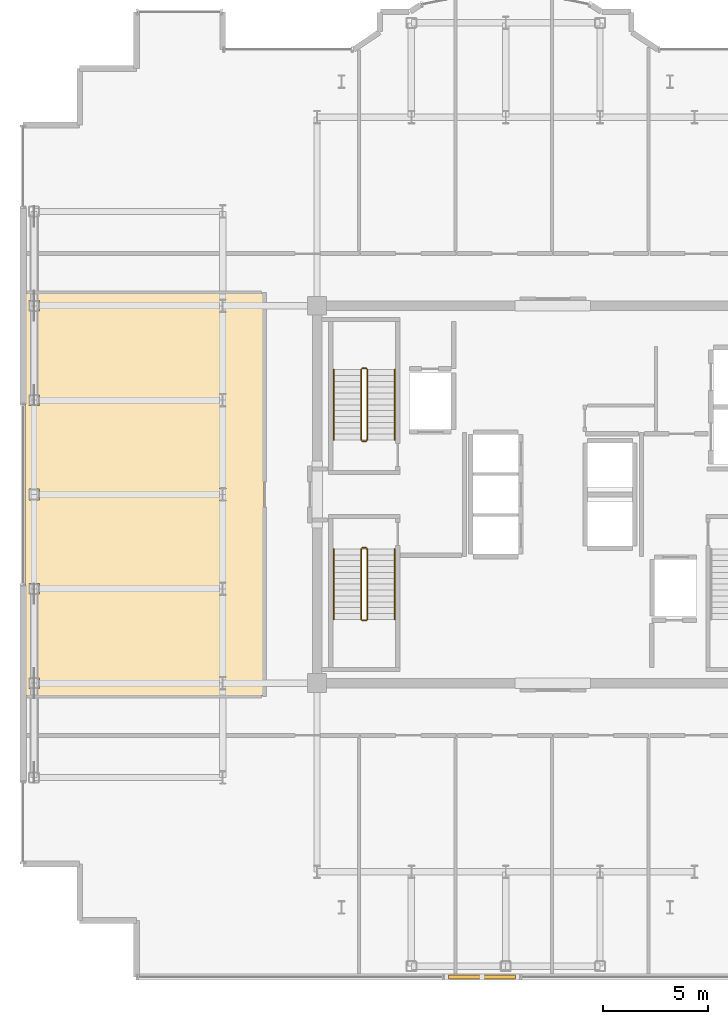
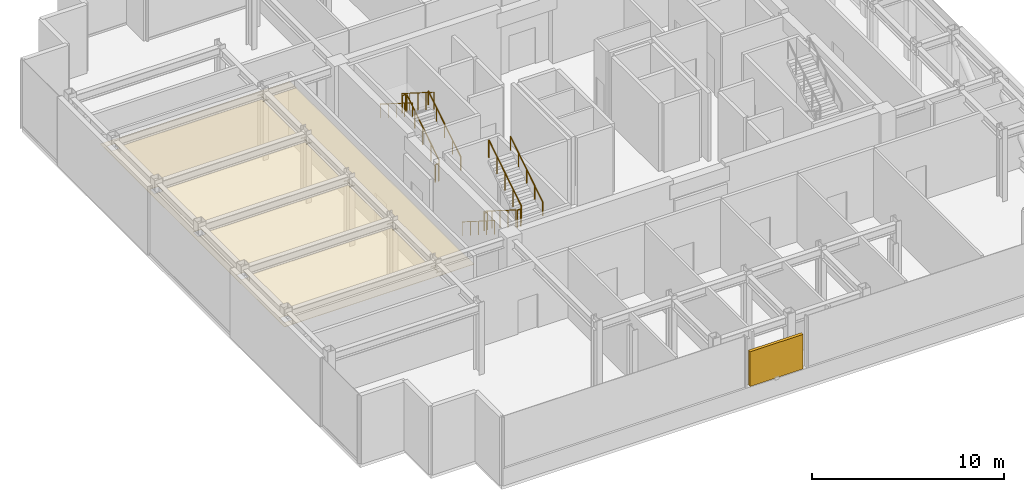
# One storey, part 17 of 18: 12 railings, 1 covering, 1 shading device.
"""IFC4 building model written with IfcOpenShell, lengths in metres."""

from ifc_helpers import new_model, si_unit, direction, frame, origin, origin_2d, place, context, subcontext, project, spatial, polyline, rectangle, circle, outline, extrude, source, transform, mapped, material, layer, layer_set, type_object, element, save


model = new_model("IFC4")

# Units and contexts
model_context = context("Model", 3, precision=1e-05, world=origin(), true_north=direction((0.0, 1.0)))
body_context = subcontext(model_context, "Body", "Model", "MODEL_VIEW")
ifc_project = project(units=[si_unit("LENGTHUNIT", "METRE"), si_unit("AREAUNIT", "SQUARE_METRE"), si_unit("VOLUMEUNIT", "CUBIC_METRE"), si_unit("PLANEANGLEUNIT", "RADIAN"), si_unit("MASSUNIT", "GRAM", prefix="KILO")], contexts=[model_context])

# Site, building, storey
site_placement = place(None, origin())
site = spatial("IfcSite", under=ifc_project, at=site_placement, CompositionType="ELEMENT")
building_placement = place(site_placement, origin())
building = spatial("IfcBuilding", under=site, at=building_placement, Name="Nefas-Gora Pilgrimage Tower", CompositionType="ELEMENT")
storey_placement = place(building_placement, frame((0.0, 0.0, 317.800048828125)))
storey = spatial("IfcBuildingStorey", under=building, at=storey_placement, Name="L80", CompositionType="ELEMENT", Elevation=317.800048828125)

# Covering
ifc_material_1 = material(Name="Perforated gypsum acoustic ceiling")
ifc_layer = layer(ifc_material_1, 0.02490234375)
ifc_layer_set = layer_set([ifc_layer], Name="Perforated gypsum acoustic ceiling")
covering_type = type_object("IfcCoveringType", Name="COV-CEIL-ACOUST", PredefinedType="CEILING", material=ifc_layer_set)
covering_placement = place(storey_placement, frame((0.0, 0.0, 3.7548828125)))
element("IfcCovering", 1, at=covering_placement, inside=storey, type_object=covering_type, Name="L80 Acoustic Suspended Ceiling (Refuge Area West)", PredefinedType="CEILING", context=body_context, shape_type="SweptSolid", body=[
    extrude(outline(polyline([(-25.18994140625, 9.60009765625), (-25.18994140625, -9.60009765625), (-13.780029296875, -9.60009765625), (-13.780029296875, 9.60009765625), (-25.18994140625, 9.60009765625)]), holes=[polyline([(-15.904541015625, -8.68798828125), (-15.595458984375, -8.68798828125), (-15.595458984375, -8.73193359375), (-15.737548828125, -8.73193359375), (-15.737548828125, -9.26806640625), (-15.595458984375, -9.26806640625), (-15.595458984375, -9.31201171875), (-15.904541015625, -9.31201171875), (-15.904541015625, -9.26806640625), (-15.762451171875, -9.26806640625), (-15.762451171875, -8.73193359375), (-15.904541015625, -8.73193359375), (-15.904541015625, -8.68798828125)]), polyline([(-15.595458984375, -4.18798828125), (-15.595458984375, -4.23193359375), (-15.737548828125, -4.23193359375), (-15.737548828125, -4.76806640625), (-15.595458984375, -4.76806640625), (-15.595458984375, -4.81201171875), (-15.904541015625, -4.81201171875), (-15.904541015625, -4.76806640625), (-15.762451171875, -4.76806640625), (-15.762451171875, -4.23193359375), (-15.904541015625, -4.23193359375), (-15.904541015625, -4.18798828125), (-15.595458984375, -4.18798828125)]), polyline([(-15.595458984375, 0.31201171875), (-15.595458984375, 0.26806640625), (-15.737548828125, 0.26806640625), (-15.737548828125, -0.26806640625), (-15.595458984375, -0.26806640625), (-15.595458984375, -0.31201171875), (-15.904541015625, -0.31201171875), (-15.904541015625, -0.26806640625), (-15.762451171875, -0.26806640625), (-15.762451171875, 0.26806640625), (-15.904541015625, 0.26806640625), (-15.904541015625, 0.31201171875), (-15.595458984375, 0.31201171875)]), polyline([(-15.595458984375, 4.81201171875), (-15.595458984375, 4.76806640625), (-15.737548828125, 4.76806640625), (-15.737548828125, 4.23193359375), (-15.595458984375, 4.23193359375), (-15.595458984375, 4.18798828125), (-15.904541015625, 4.18798828125), (-15.904541015625, 4.23193359375), (-15.762451171875, 4.23193359375), (-15.762451171875, 4.76806640625), (-15.904541015625, 4.76806640625), (-15.904541015625, 4.81201171875), (-15.595458984375, 4.81201171875)]), polyline([(-15.904541015625, 9.31201171875), (-15.595458984375, 9.31201171875), (-15.595458984375, 9.26806640625), (-15.737548828125, 9.26806640625), (-15.737548828125, 8.73193359375), (-15.595458984375, 8.73193359375), (-15.595458984375, 8.68798828125), (-15.904541015625, 8.68798828125), (-15.904541015625, 8.73193359375), (-15.762451171875, 8.73193359375), (-15.762451171875, 9.26806640625), (-15.904541015625, 9.26806640625), (-15.904541015625, 9.31201171875)]), polyline([(-24.498046875, -8.748046875), (-24.498046875, -9.251953125), (-25.001953125, -9.251953125), (-25.001953125, -8.748046875), (-24.498046875, -8.748046875)]), polyline([(-25.001953125, -4.248046875), (-24.498046875, -4.248046875), (-24.498046875, -4.751953125), (-25.001953125, -4.751953125), (-25.001953125, -4.248046875)]), polyline([(-24.498046875, 0.251953125), (-24.498046875, -0.251953125), (-25.001953125, -0.251953125), (-25.001953125, 0.251953125), (-24.498046875, 0.251953125)]), polyline([(-24.498046875, 4.751953125), (-24.498046875, 4.248046875), (-25.001953125, 4.248046875), (-25.001953125, 4.751953125), (-24.498046875, 4.751953125)]), polyline([(-24.498046875, 9.251953125), (-24.498046875, 8.748046875), (-25.001953125, 8.748046875), (-25.001953125, 9.251953125), (-24.498046875, 9.251953125)])]), origin(), (0.0, 0.0, 1.0), 0.025146484375),
])

# Railings
ifc_material_2 = material(Name="Painted galvanised steel", Category="steel")
railing_type_1 = type_object("IfcRailingType", Name="RLG-STR-GUARD-1100", PredefinedType="GUARDRAIL", material=ifc_material_2)
railing_1_placement = place(storey_placement, frame((-8.85009765625, 2.60009765625, 0.1767578125)))
element("IfcRailing", 2, at=railing_1_placement, inside=storey, type_object=railing_type_1, Name="L80 ST-01 stair guard 1", PredefinedType="GUARDRAIL", context=body_context, shape_type="SweptSolid", body=[
    extrude(circle(Radius=0.02392578125, at=origin_2d()), frame((0.0, 0.0, 1.09619140625), z_axis=(0.0, 0.845344368971, 0.534221768416), x_axis=(-1.0, 0.0, 0.0)), (0.0, 0.0, 1.0), 3.974609375),
    extrude(circle(Radius=0.02099609375, at=origin_2d()), origin(), (0.0, 0.0, 1.0), 1.072021484375),
    extrude(circle(Radius=0.02099609375, at=origin_2d()), frame((0.0, 0.83984375, 0.53076171875)), (0.0, 0.0, 1.0), 1.072021484375),
    extrude(circle(Radius=0.02099609375, at=origin_2d()), frame((0.0, 1.679931640625, 1.0615234375)), (0.0, 0.0, 1.0), 1.072021484375),
    extrude(circle(Radius=0.02099609375, at=origin_2d()), frame((0.0, 2.52001953125, 1.592529296875)), (0.0, 0.0, 1.0), 1.072021484375),
    extrude(circle(Radius=0.02099609375, at=origin_2d()), frame((0.0, 3.35986328125, 2.123291015625)), (0.0, 0.0, 1.0), 1.072021484375),
])
railing_2_placement = place(storey_placement, frame((-8.89990234375, 6.010009765625, 2.300048828125)))
element("IfcRailing", 3, at=railing_2_placement, inside=storey, type_object=railing_type_1, Name="L80 ST-01 stair guard 2", PredefinedType="GUARDRAIL", context=body_context, shape_type="SweptSolid", body=[
    extrude(circle(Radius=0.02392578125, at=origin_2d()), frame((0.0, 0.0, 1.09619140625), z_axis=(-1.0, 0.0, 0.0), x_axis=(0.0, -1.0, 0.0)), (0.0, 0.0, 1.0), 0.2001953125),
    extrude(circle(Radius=0.02099609375, at=origin_2d()), origin(), (0.0, 0.0, 1.0), 1.072021484375),
    extrude(circle(Radius=0.02099609375, at=origin_2d()), frame((-0.2001953125, 0.0, 0.0)), (0.0, 0.0, 1.0), 1.072021484375),
])
railing_3_placement = place(storey_placement, frame((-9.14990234375, 5.9599609375, 2.476806640625)))
element("IfcRailing", 4, at=railing_3_placement, inside=storey, type_object=railing_type_1, Name="L80 ST-01 stair guard 3", PredefinedType="GUARDRAIL", context=body_context, shape_type="SweptSolid", body=[
    extrude(circle(Radius=0.02392578125, at=origin_2d()), frame((0.0, 0.0, 1.09619140625), z_axis=(0.0, -0.845372108799, 0.534177870812), x_axis=(1.0, 0.0, 0.0)), (0.0, 0.0, 1.0), 3.974365234375),
    extrude(circle(Radius=0.02099609375, at=origin_2d()), origin(), (0.0, 0.0, 1.0), 1.072021484375),
    extrude(circle(Radius=0.02099609375, at=origin_2d()), frame((0.0, -0.83984375, 0.53076171875)), (0.0, 0.0, 1.0), 1.072021484375),
    extrude(circle(Radius=0.02099609375, at=origin_2d()), frame((0.0, -1.679931640625, 1.0615234375)), (0.0, 0.0, 1.0), 1.072021484375),
    extrude(circle(Radius=0.02099609375, at=origin_2d()), frame((0.0, -2.52001953125, 1.59228515625)), (0.0, 0.0, 1.0), 1.072021484375),
    extrude(circle(Radius=0.02099609375, at=origin_2d()), frame((0.0, -3.35986328125, 2.123046875)), (0.0, 0.0, 1.0), 1.072021484375),
])
railing_4_placement = place(storey_placement, frame((-8.89990234375, 2.550048828125, 0.0)))
element("IfcRailing", 5, at=railing_4_placement, inside=storey, type_object=railing_type_1, Name="L80 ST-01 stair guard 4", PredefinedType="GUARDRAIL", context=body_context, shape_type="SweptSolid", body=[
    extrude(circle(Radius=0.02392578125, at=origin_2d()), frame((0.0, 0.0, 1.09619140625), z_axis=(-1.0, 0.0, 0.0), x_axis=(0.0, -1.0, 0.0)), (0.0, 0.0, 1.0), 0.2001953125),
    extrude(circle(Radius=0.02099609375, at=origin_2d()), origin(), (0.0, 0.0, 1.0), 1.072021484375),
    extrude(circle(Radius=0.02099609375, at=origin_2d()), frame((-0.2001953125, 0.0, 0.0)), (0.0, 0.0, 1.0), 1.072021484375),
])
railing_5_placement = place(storey_placement, frame((-9.14990234375, -2.60009765625, 0.1767578125)))
element("IfcRailing", 6, at=railing_5_placement, inside=storey, type_object=railing_type_1, Name="L80 ST-03 stair guard 1", PredefinedType="GUARDRAIL", context=body_context, shape_type="SweptSolid", body=[
    extrude(circle(Radius=0.02392578125, at=origin_2d()), frame((0.0, 0.0, 1.09619140625), z_axis=(0.0, -0.845344368971, 0.534221768416), x_axis=(1.0, 0.0, 0.0)), (0.0, 0.0, 1.0), 3.974609375),
    extrude(circle(Radius=0.02099609375, at=origin_2d()), origin(), (0.0, 0.0, 1.0), 1.072021484375),
    extrude(circle(Radius=0.02099609375, at=origin_2d()), frame((0.0, -0.83984375, 0.53076171875)), (0.0, 0.0, 1.0), 1.072021484375),
    extrude(circle(Radius=0.02099609375, at=origin_2d()), frame((0.0, -1.679931640625, 1.0615234375)), (0.0, 0.0, 1.0), 1.072021484375),
    extrude(circle(Radius=0.02099609375, at=origin_2d()), frame((0.0, -2.52001953125, 1.592529296875)), (0.0, 0.0, 1.0), 1.072021484375),
    extrude(circle(Radius=0.02099609375, at=origin_2d()), frame((0.0, -3.35986328125, 2.123291015625)), (0.0, 0.0, 1.0), 1.072021484375),
])
railing_6_placement = place(storey_placement, frame((-9.10009765625, -6.010009765625, 2.300048828125)))
element("IfcRailing", 7, at=railing_6_placement, inside=storey, type_object=railing_type_1, Name="L80 ST-03 stair guard 2", PredefinedType="GUARDRAIL", context=body_context, shape_type="SweptSolid", body=[
    extrude(circle(Radius=0.02392578125, at=origin_2d()), frame((0.0, 0.0, 1.09619140625), z_axis=(1.0, 0.0, 0.0), x_axis=(0.0, 1.0, 0.0)), (0.0, 0.0, 1.0), 0.2001953125),
    extrude(circle(Radius=0.02099609375, at=origin_2d()), origin(), (0.0, 0.0, 1.0), 1.072021484375),
    extrude(circle(Radius=0.02099609375, at=origin_2d()), frame((0.2001953125, 0.0, 0.0)), (0.0, 0.0, 1.0), 1.072021484375),
])
railing_7_placement = place(storey_placement, frame((-8.85009765625, -5.9599609375, 2.476806640625)))
element("IfcRailing", 8, at=railing_7_placement, inside=storey, type_object=railing_type_1, Name="L80 ST-03 stair guard 3", PredefinedType="GUARDRAIL", context=body_context, shape_type="SweptSolid", body=[
    extrude(circle(Radius=0.02392578125, at=origin_2d()), frame((0.0, 0.0, 1.09619140625), z_axis=(0.0, 0.845372108799, 0.534177870812), x_axis=(-1.0, 0.0, 0.0)), (0.0, 0.0, 1.0), 3.974365234375),
    extrude(circle(Radius=0.02099609375, at=origin_2d()), origin(), (0.0, 0.0, 1.0), 1.072021484375),
    extrude(circle(Radius=0.02099609375, at=origin_2d()), frame((0.0, 0.83984375, 0.53076171875)), (0.0, 0.0, 1.0), 1.072021484375),
    extrude(circle(Radius=0.02099609375, at=origin_2d()), frame((0.0, 1.679931640625, 1.0615234375)), (0.0, 0.0, 1.0), 1.072021484375),
    extrude(circle(Radius=0.02099609375, at=origin_2d()), frame((0.0, 2.52001953125, 1.59228515625)), (0.0, 0.0, 1.0), 1.072021484375),
    extrude(circle(Radius=0.02099609375, at=origin_2d()), frame((0.0, 3.35986328125, 2.123046875)), (0.0, 0.0, 1.0), 1.072021484375),
])
railing_8_placement = place(storey_placement, frame((-9.10009765625, -2.550048828125, 0.0)))
element("IfcRailing", 9, at=railing_8_placement, inside=storey, type_object=railing_type_1, Name="L80 ST-03 stair guard 4", PredefinedType="GUARDRAIL", context=body_context, shape_type="SweptSolid", body=[
    extrude(circle(Radius=0.02392578125, at=origin_2d()), frame((0.0, 0.0, 1.09619140625), z_axis=(1.0, 0.0, 0.0), x_axis=(0.0, 1.0, 0.0)), (0.0, 0.0, 1.0), 0.2001953125),
    extrude(circle(Radius=0.02099609375, at=origin_2d()), origin(), (0.0, 0.0, 1.0), 1.072021484375),
    extrude(circle(Radius=0.02099609375, at=origin_2d()), frame((0.2001953125, 0.0, 0.0)), (0.0, 0.0, 1.0), 1.072021484375),
])
ifc_material_3 = material(Name="Brushed stainless steel", Category="steel")
railing_type_2 = type_object("IfcRailingType", Name="RLG-STR-HAND-900", PredefinedType="HANDRAIL", material=ifc_material_3)
railing_9_placement = place(storey_placement, frame((-7.550048828125, 2.60009765625, 0.1767578125)))
element("IfcRailing", 10, at=railing_9_placement, inside=storey, type_object=railing_type_2, Name="L80 ST-01 stair handrail 1", PredefinedType="HANDRAIL", context=body_context, shape_type="SweptSolid", body=[
    extrude(circle(Radius=0.02392578125, at=origin_2d()), frame((0.0, 0.0, 0.8759765625), z_axis=(0.0, 0.845344368971, 0.534221768416), x_axis=(-1.0, 0.0, 0.0)), (0.0, 0.0, 1.0), 3.974609375),
    extrude(circle(Radius=0.02099609375, at=origin_2d()), origin(), (0.0, 0.0, 1.0), 0.851806640625),
    extrude(circle(Radius=0.02099609375, at=origin_2d()), frame((0.0, 0.83984375, 0.53076171875)), (0.0, 0.0, 1.0), 0.851806640625),
    extrude(circle(Radius=0.02099609375, at=origin_2d()), frame((0.0, 1.679931640625, 1.0615234375)), (0.0, 0.0, 1.0), 0.851806640625),
    extrude(circle(Radius=0.02099609375, at=origin_2d()), frame((0.0, 2.52001953125, 1.592529296875)), (0.0, 0.0, 1.0), 0.851806640625),
    extrude(circle(Radius=0.02099609375, at=origin_2d()), frame((0.0, 3.35986328125, 2.123291015625)), (0.0, 0.0, 1.0), 0.851806640625),
])
railing_10_placement = place(storey_placement, frame((-10.449951171875, 5.9599609375, 2.476806640625)))
element("IfcRailing", 11, at=railing_10_placement, inside=storey, type_object=railing_type_2, Name="L80 ST-01 stair handrail 2", PredefinedType="HANDRAIL", context=body_context, shape_type="SweptSolid", body=[
    extrude(circle(Radius=0.02392578125, at=origin_2d()), frame((0.0, 0.0, 0.8759765625), z_axis=(0.0, -0.845372108799, 0.534177870812), x_axis=(1.0, 0.0, 0.0)), (0.0, 0.0, 1.0), 3.974365234375),
    extrude(circle(Radius=0.02099609375, at=origin_2d()), origin(), (0.0, 0.0, 1.0), 0.851806640625),
    extrude(circle(Radius=0.02099609375, at=origin_2d()), frame((0.0, -0.83984375, 0.53076171875)), (0.0, 0.0, 1.0), 0.851806640625),
    extrude(circle(Radius=0.02099609375, at=origin_2d()), frame((0.0, -1.679931640625, 1.0615234375)), (0.0, 0.0, 1.0), 0.851806640625),
    extrude(circle(Radius=0.02099609375, at=origin_2d()), frame((0.0, -2.52001953125, 1.59228515625)), (0.0, 0.0, 1.0), 0.851806640625),
    extrude(circle(Radius=0.02099609375, at=origin_2d()), frame((0.0, -3.35986328125, 2.123046875)), (0.0, 0.0, 1.0), 0.851806640625),
])
railing_11_placement = place(storey_placement, frame((-10.449951171875, -2.60009765625, 0.1767578125)))
element("IfcRailing", 12, at=railing_11_placement, inside=storey, type_object=railing_type_2, Name="L80 ST-03 stair handrail 1", PredefinedType="HANDRAIL", context=body_context, shape_type="SweptSolid", body=[
    extrude(circle(Radius=0.02392578125, at=origin_2d()), frame((0.0, 0.0, 0.8759765625), z_axis=(0.0, -0.845344368971, 0.534221768416), x_axis=(1.0, 0.0, 0.0)), (0.0, 0.0, 1.0), 3.974609375),
    extrude(circle(Radius=0.02099609375, at=origin_2d()), origin(), (0.0, 0.0, 1.0), 0.851806640625),
    extrude(circle(Radius=0.02099609375, at=origin_2d()), frame((0.0, -0.83984375, 0.53076171875)), (0.0, 0.0, 1.0), 0.851806640625),
    extrude(circle(Radius=0.02099609375, at=origin_2d()), frame((0.0, -1.679931640625, 1.0615234375)), (0.0, 0.0, 1.0), 0.851806640625),
    extrude(circle(Radius=0.02099609375, at=origin_2d()), frame((0.0, -2.52001953125, 1.592529296875)), (0.0, 0.0, 1.0), 0.851806640625),
    extrude(circle(Radius=0.02099609375, at=origin_2d()), frame((0.0, -3.35986328125, 2.123291015625)), (0.0, 0.0, 1.0), 0.851806640625),
])
railing_12_placement = place(storey_placement, frame((-7.550048828125, -5.9599609375, 2.476806640625)))
element("IfcRailing", 13, at=railing_12_placement, inside=storey, type_object=railing_type_2, Name="L80 ST-03 stair handrail 2", PredefinedType="HANDRAIL", context=body_context, shape_type="SweptSolid", body=[
    extrude(circle(Radius=0.02392578125, at=origin_2d()), frame((0.0, 0.0, 0.8759765625), z_axis=(0.0, 0.845372108799, 0.534177870812), x_axis=(-1.0, 0.0, 0.0)), (0.0, 0.0, 1.0), 3.974365234375),
    extrude(circle(Radius=0.02099609375, at=origin_2d()), origin(), (0.0, 0.0, 1.0), 0.851806640625),
    extrude(circle(Radius=0.02099609375, at=origin_2d()), frame((0.0, 0.83984375, 0.53076171875)), (0.0, 0.0, 1.0), 0.851806640625),
    extrude(circle(Radius=0.02099609375, at=origin_2d()), frame((0.0, 1.679931640625, 1.0615234375)), (0.0, 0.0, 1.0), 0.851806640625),
    extrude(circle(Radius=0.02099609375, at=origin_2d()), frame((0.0, 2.52001953125, 1.59228515625)), (0.0, 0.0, 1.0), 0.851806640625),
    extrude(circle(Radius=0.02099609375, at=origin_2d()), frame((0.0, 3.35986328125, 2.123046875)), (0.0, 0.0, 1.0), 0.851806640625),
])

# Shading device
ifc_material_4 = material(Name="Perforated dark-bronze aluminium weather screen", Category="aluminium")
shading_device_type = type_object("IfcShadingDeviceType", Name="SHD-SCREEN-SHUT", PredefinedType="SHUTTER", material=ifc_material_4)
shared_shape = source(origin(), body_context, "Body", "SweptSolid", [
    extrude(rectangle(XDim=3.199951171875, YDim=0.179931640625, at=origin_2d()), origin(), (0.0, 0.0, 1.0), 2.199951171875),
])
shading_device_placement = place(storey_placement, frame((-3.375, -23.02001953125, 1.10009765625), z_axis=(0.0, 0.0, 1.0), x_axis=(1.0, 0.0, 0.0)))
element("IfcShadingDevice", 14, at=shading_device_placement, inside=storey, type_object=shading_device_type, Name="L80 High-Altitude Storm Louvre Assembly 28", PredefinedType="SHUTTER", context=body_context, shape_type="MappedRepresentation", body=[
    mapped(shared_shape, transform((0.0, 0.0, 0.0), x_axis=(1.0, 0.0, 0.0), y_axis=(0.0, 1.0, 0.0), z_axis=(0.0, 0.0, 1.0), scale=1.0)),
])

save(model, "model.ifc")
